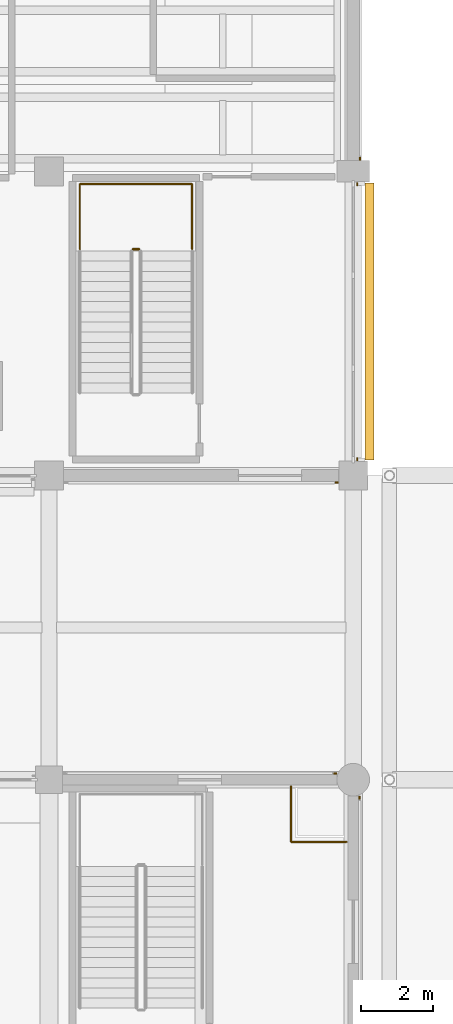
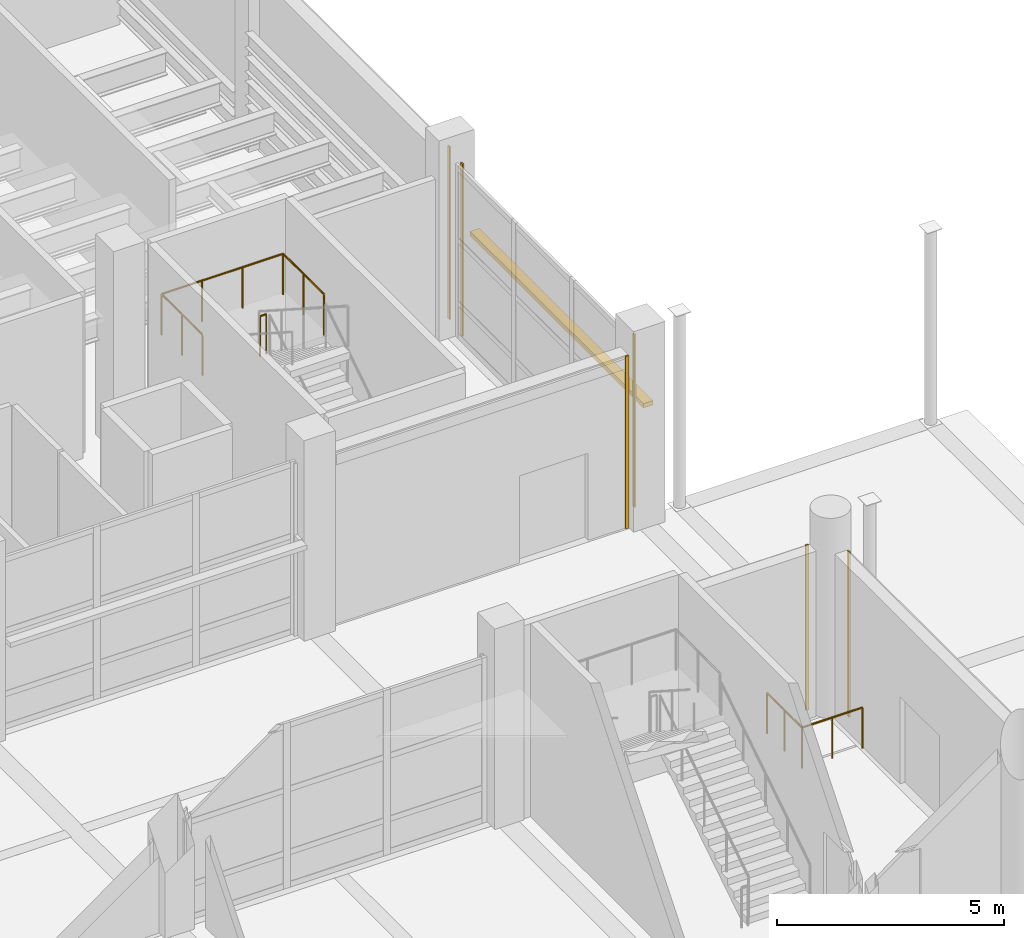
# One storey, part 129 of 140: 6 coverings, 3 railings, 1 shading device.
"""IFC4 building model written with IfcOpenShell, lengths in metres."""

from ifc_helpers import new_model, si_unit, direction, frame, origin, origin_2d, place, context, subcontext, project, spatial, rectangle, circle, extrude, material, layer, layer_set, type_object, element, save


model = new_model("IFC4")

# Units and contexts
model_context = context("Model", 3, precision=1e-05, world=origin(), true_north=direction((0.0, 1.0)))
body_context = subcontext(model_context, "Body", "Model", "MODEL_VIEW")
ifc_project = project(units=[si_unit("LENGTHUNIT", "METRE"), si_unit("AREAUNIT", "SQUARE_METRE"), si_unit("VOLUMEUNIT", "CUBIC_METRE"), si_unit("PLANEANGLEUNIT", "RADIAN"), si_unit("MASSUNIT", "GRAM", prefix="KILO")], contexts=[model_context])

# Site, building, storey
site_placement = place(None, origin())
site = spatial("IfcSite", under=ifc_project, at=site_placement, CompositionType="ELEMENT")
building_placement = place(site_placement, origin())
building = spatial("IfcBuilding", under=site, at=building_placement, Name="Telukmera Botanical Conservatory", CompositionType="ELEMENT")
storey_placement = place(building_placement, origin())
storey = spatial("IfcBuildingStorey", under=building, at=storey_placement, Name="L00", CompositionType="ELEMENT", Elevation=0.0)

# Railing
ifc_material_1 = material(Name="Brushed stainless steel grade 316", Category="steel")
railing_type_1 = type_object("IfcRailingType", Name="Exterior Terrace Safety Guardrail 1100", PredefinedType="GUARDRAIL", material=ifc_material_1)
railing_1_placement = place(storey_placement, frame((41.820068359375, 73.080078125, 0.0)))
element("IfcRailing", 1, at=railing_1_placement, inside=storey, type_object=railing_type_1, Name="Visitor North Verandah Step Guardrail", PredefinedType="GUARDRAIL", context=body_context, shape_type="SweptSolid", body=[
    extrude(circle(Radius=0.02392578125, at=origin_2d()), frame((0.0, 0.0, 1.09619140625), z_axis=(-1.0, 0.0, 0.0), x_axis=(0.0, -1.0, 0.0)), (0.0, 0.0, 1.0), 1.5400390625),
    extrude(circle(Radius=0.02392578125, at=origin_2d()), frame((-1.5400390625, 0.0, 1.09619140625), z_axis=(0.0, 1.0, 0.0), x_axis=(-1.0, 0.0, 0.0)), (0.0, 0.0, 1.0), 1.5400390625),
    extrude(circle(Radius=0.02099609375, at=origin_2d()), origin(), (0.0, 0.0, 1.0), 1.072021484375),
    extrude(circle(Radius=0.02099609375, at=origin_2d()), frame((-0.77001953125, 0.0, 0.0)), (0.0, 0.0, 1.0), 1.072021484375),
    extrude(circle(Radius=0.02099609375, at=origin_2d()), frame((-1.5400390625, 0.0, 0.0)), (0.0, 0.0, 1.0), 1.072021484375),
    extrude(circle(Radius=0.02099609375, at=origin_2d()), frame((-1.5400390625, 0.77001953125, 0.0)), (0.0, 0.0, 1.0), 1.072021484375),
    extrude(circle(Radius=0.02099609375, at=origin_2d()), frame((-1.5400390625, 1.5400390625, 0.0)), (0.0, 0.0, 1.0), 1.072021484375),
])

# Coverings
ifc_material_2 = material(Name="Granite-faced precast concrete C40/50", Category="masonry")
ifc_layer_1 = layer(ifc_material_2, 0.0400390625)
ifc_layer_set_1 = layer_set([ifc_layer_1], Name="Granite-faced precast concrete C40/50")
covering_type = type_object("IfcCoveringType", Name="Granite Precast Column Pier Reveal Casing", PredefinedType="CLADDING", material=ifc_layer_set_1)
for number, where, z_axis, x_axis, name in (
    (2, (41.548095703125, 83.010009765625, 0.0), (0.0, 0.0, 1.0), (1.0, 0.0, 0.0), "Granite Pier Reveal V2:L00:S4 R"),
    (3, (42.110107421875, 83.652099609375, 0.0), (0.0, 0.0, 1.0), (0.0, 1.0, 0.0), "Granite Pier Reveal V2:L00:E1 L"),
    (4, (42.110107421875, 91.248046875, 0.0), (0.0, 0.0, 1.0), (0.0, 1.0, 0.0), "Granite Pier Reveal V2:L00:E1 R"),
    (5, (42.18994140625, 91.951904296875, 0.0), (0.0, 0.0, 1.0), (0.0, 1.0, 0.0), "Granite Pier Reveal V2:L00:E2 L"),
):
    element("IfcCovering", number, at=place(storey_placement, frame(where, z_axis=z_axis, x_axis=x_axis)), inside=storey, type_object=covering_type, Name=name, PredefinedType="CLADDING", context=body_context, shape_type="SweptSolid", body=[
        extrude(rectangle(XDim=0.080078125, YDim=0.0400390625, at=origin_2d()), origin(), (0.0, 0.0, 1.0), 4.64990234375),
    ])
for number, where, z_axis, x_axis, name in (
    (6, (41.498046875, 74.969970703125, 0.0), (0.0, 0.0, 1.0), (1.0, 0.0, 0.0), "Granite Pier Reveal V3:L00:N4 R"),
    (7, (42.169921875, 74.298095703125, 0.0), (0.0, 0.0, 1.0), (0.0, 1.0, 0.0), "Granite Pier Reveal V3:L00:E7 R"),
):
    element("IfcCovering", number, at=place(storey_placement, frame(where, z_axis=z_axis, x_axis=x_axis)), inside=storey, type_object=covering_type, Name=name, PredefinedType="CLADDING", context=body_context, shape_type="SweptSolid", body=[
        extrude(rectangle(XDim=0.080078125, YDim=0.0400390625, at=origin_2d()), origin(), (0.0, 0.0, 1.0), 4.449951171875),
    ])

# Shading device
ifc_material_3 = material(Name="Perforated terracotta-anodised aluminium 6063-T6", Category="masonry")
ifc_layer_2 = layer(ifc_material_3, 0.044921875)
ifc_layer_set_2 = layer_set([ifc_layer_2], Name="Perforated terracotta-anodised aluminium 6063-T6")
shading_device_type = type_object("IfcShadingDeviceType", Name="Perforated Terracotta Aluminium Monsoon Brise Soleil", PredefinedType="JALOUSIE", material=ifc_layer_set_2)
shading_device_placement = place(storey_placement, frame((42.449951171875, 87.449951171875, 2.58984375), z_axis=(0.0, 0.0, 1.0), x_axis=(0.0, 1.0, 0.0)))
element("IfcShadingDevice", 8, at=shading_device_placement, inside=storey, type_object=shading_device_type, Name="Monsoon Shading BS01 V2:L00:E1", PredefinedType="JALOUSIE", context=body_context, shape_type="SweptSolid", body=[
    extrude(rectangle(XDim=7.656005859375, YDim=0.239990234375, at=origin_2d()), origin(), (0.0, 0.0, 1.0), 0.1201171875),
])

# Railings
ifc_material_4 = material(Name="Steel S355", Category="steel")
railing_type_2 = type_object("IfcRailingType", Name="RL-GUARD-1100", PredefinedType="GUARDRAIL", material=ifc_material_4)
railing_2_placement = place(storey_placement, frame((36.080078125, 89.449951171875, 2.699951171875)))
element("IfcRailing", 9, at=railing_2_placement, inside=storey, type_object=railing_type_2, Name="L00 ST6 stair guard 2", PredefinedType="GUARDRAIL", context=body_context, shape_type="SweptSolid", body=[
    extrude(circle(Radius=0.02392578125, at=origin_2d()), frame((0.0, 0.0, 1.076171875), z_axis=(-1.0, 0.0, 0.0), x_axis=(0.0, -1.0, 0.0)), (0.0, 0.0, 1.0), 0.16015625),
    extrude(circle(Radius=0.02099609375, at=origin_2d()), origin(), (0.0, 0.0, 1.0), 1.052001953125),
    extrude(circle(Radius=0.02099609375, at=origin_2d()), frame((-0.16015625, 0.0, 0.0)), (0.0, 0.0, 1.0), 1.052001953125),
])
railing_3_placement = place(storey_placement, frame((37.550048828125, 89.449951171875, 2.699951171875)))
element("IfcRailing", 10, at=railing_3_placement, inside=storey, type_object=railing_type_2, Name="L00 ST6 half-landing perimeter guard 1", PredefinedType="GUARDRAIL", context=body_context, shape_type="SweptSolid", body=[
    extrude(circle(Radius=0.02392578125, at=origin_2d()), frame((0.0, 0.0, 1.09619140625), z_axis=(0.0, 1.0, 0.0), x_axis=(-1.0, 0.0, 0.0)), (0.0, 0.0, 1.0), 1.800048828125),
    extrude(circle(Radius=0.02392578125, at=origin_2d()), frame((0.0, 1.800048828125, 1.09619140625), z_axis=(-1.0, 0.0, 0.0), x_axis=(0.0, -1.0, 0.0)), (0.0, 0.0, 1.0), 3.10009765625),
    extrude(circle(Radius=0.02392578125, at=origin_2d()), frame((-3.10009765625, 1.800048828125, 1.09619140625), z_axis=(0.0, -1.0, 0.0), x_axis=(1.0, 0.0, 0.0)), (0.0, 0.0, 1.0), 1.800048828125),
    extrude(circle(Radius=0.02099609375, at=origin_2d()), origin(), (0.0, 0.0, 1.0), 1.072021484375),
    extrude(circle(Radius=0.02099609375, at=origin_2d()), frame((0.0, 0.89990234375, 0.0)), (0.0, 0.0, 1.0), 1.072021484375),
    extrude(circle(Radius=0.02099609375, at=origin_2d()), frame((0.0, 1.800048828125, 0.0)), (0.0, 0.0, 1.0), 1.072021484375),
    extrude(circle(Radius=0.02099609375, at=origin_2d()), frame((-1.033447265625, 1.800048828125, 0.0)), (0.0, 0.0, 1.0), 1.072021484375),
    extrude(circle(Radius=0.02099609375, at=origin_2d()), frame((-2.066650390625, 1.800048828125, 0.0)), (0.0, 0.0, 1.0), 1.072021484375),
    extrude(circle(Radius=0.02099609375, at=origin_2d()), frame((-3.10009765625, 1.800048828125, 0.0)), (0.0, 0.0, 1.0), 1.072021484375),
    extrude(circle(Radius=0.02099609375, at=origin_2d()), frame((-3.10009765625, 0.89990234375, 0.0)), (0.0, 0.0, 1.0), 1.072021484375),
    extrude(circle(Radius=0.02099609375, at=origin_2d()), frame((-3.10009765625, 0.0, 0.0)), (0.0, 0.0, 1.0), 1.072021484375),
])

save(model, "model.ifc")
